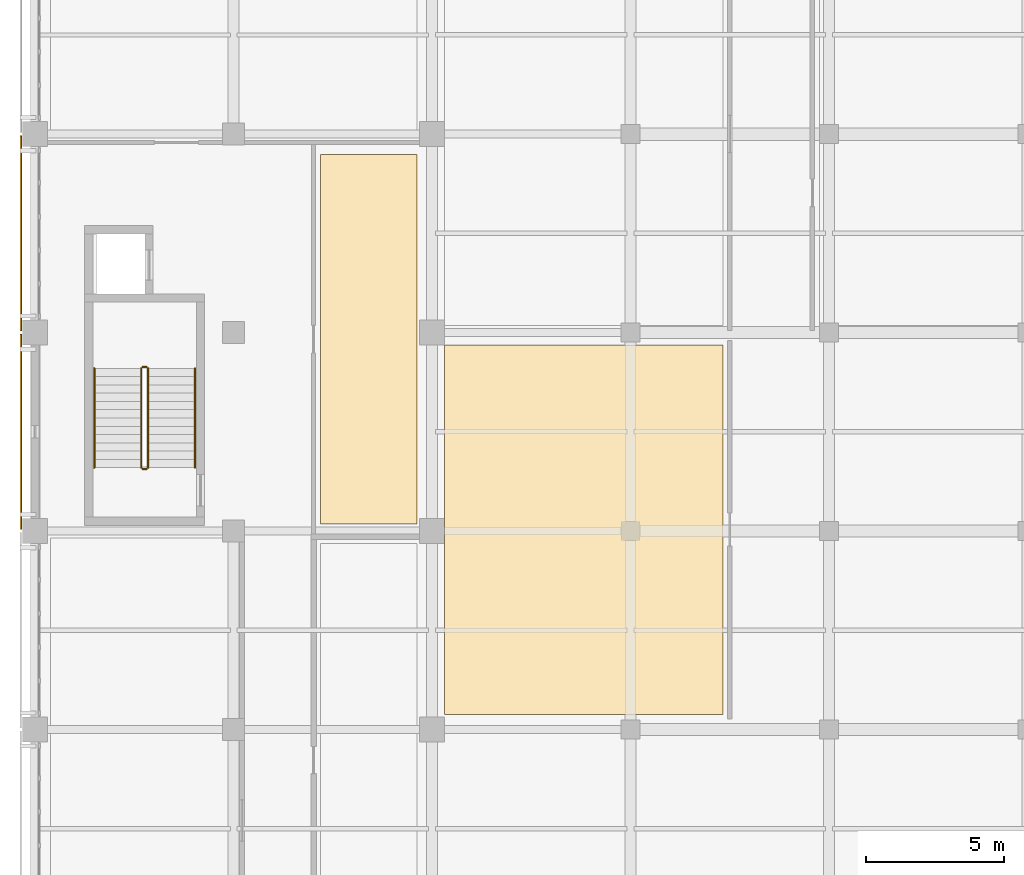
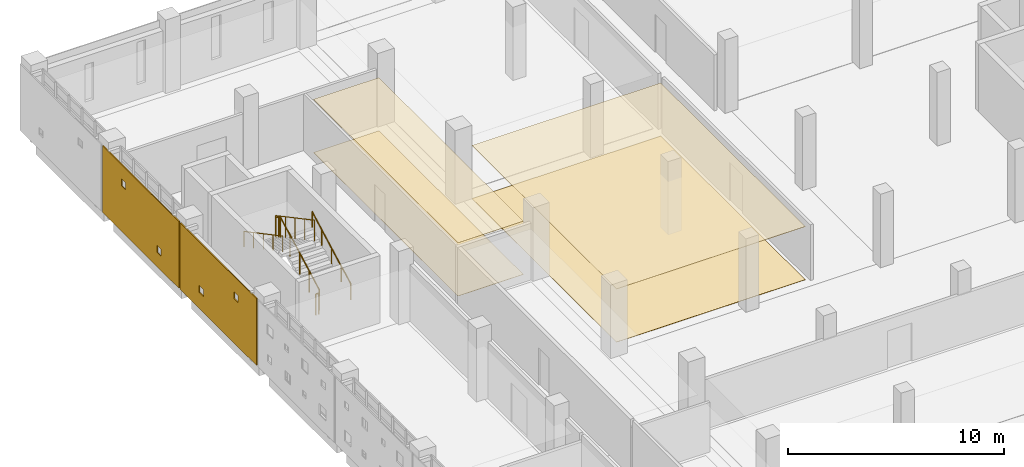
# One storey, part 57 of 62: 6 coverings, 6 railings.
"""IFC4 building model written with IfcOpenShell, lengths in metres."""

from ifc_helpers import new_model, si_unit, direction, frame, origin, origin_2d, place, context, subcontext, project, spatial, polyline, circle, outline, extrude, material, layer, layer_set, type_object, element, save


model = new_model("IFC4")

# Units and contexts
model_context = context("Model", 3, precision=1e-05, world=origin(), true_north=direction((0.0, 1.0)))
body_context = subcontext(model_context, "Body", "Model", "MODEL_VIEW")
ifc_project = project(units=[si_unit("LENGTHUNIT", "METRE"), si_unit("AREAUNIT", "SQUARE_METRE"), si_unit("VOLUMEUNIT", "CUBIC_METRE"), si_unit("PLANEANGLEUNIT", "RADIAN"), si_unit("MASSUNIT", "GRAM", prefix="KILO")], contexts=[model_context])

# Site, building, storey
site_placement = place(None, origin())
site = spatial("IfcSite", under=ifc_project, at=site_placement, CompositionType="ELEMENT")
building_placement = place(site_placement, origin())
building = spatial("IfcBuilding", under=site, at=building_placement, Name="Valkovuoma Quantum and Materials Research Institute", CompositionType="ELEMENT")
storey_placement = place(building_placement, frame((0.0, 0.0, 8.9599609375)))
storey = spatial("IfcBuildingStorey", under=building, at=storey_placement, Name="L02", CompositionType="ELEMENT", Elevation=8.9599609375)

# Coverings
ifc_material_1 = material(Name="Cleanable acoustic mineral-fibre suspended ceiling", Category="masonry")
ifc_layer_1 = layer(ifc_material_1, 0.02490234375)
ifc_layer_set_1 = layer_set([ifc_layer_1], Name="Cleanable acoustic mineral-fibre suspended ceiling")
covering_type_1 = type_object("IfcCoveringType", Name="Cov-CEIL-01", PredefinedType="CEILING", material=ifc_layer_set_1)
covering_1_placement = place(storey_placement, frame((0.0, 0.0, 3.0)))
element("IfcCovering", 1, at=covering_1_placement, inside=storey, type_object=covering_type_1, Name="L02 acoustic ceiling 0060", PredefinedType="CEILING", context=body_context, shape_type="SweptSolid", body=[
    extrude(outline(polyline([(10.35009765625, 72.25), (13.85009765625, 72.25), (13.85009765625, 85.64990234375), (10.35009765625, 85.64990234375), (10.35009765625, 72.25)])), origin(), (0.0, 0.0, 1.0), 0.025146484375),
])
covering_2_placement = place(storey_placement, frame((0.0, 0.0, 3.0)))
element("IfcCovering", 2, at=covering_2_placement, inside=storey, type_object=covering_type_1, Name="L02 acoustic ceiling 0068", PredefinedType="CEILING", context=body_context, shape_type="SweptSolid", body=[
    extrude(outline(polyline([(14.85009765625, 65.35009765625), (24.949951171875, 65.35009765625), (24.949951171875, 78.75), (14.85009765625, 78.75), (14.85009765625, 65.35009765625)])), origin(), (0.0, 0.0, 1.0), 0.025146484375),
])
ifc_material_2 = material(Name="Seamless dissipative laboratory resin flooring", Category="masonry")
ifc_layer_2 = layer(ifc_material_2, 0.014892578125)
ifc_layer_set_2 = layer_set([ifc_layer_2], Name="Seamless dissipative laboratory resin flooring")
covering_type_2 = type_object("IfcCoveringType", Name="Cov-FLOR-01", PredefinedType="FLOORING", material=ifc_layer_set_2)
covering_3_placement = place(storey_placement, origin())
element("IfcCovering", 3, at=covering_3_placement, inside=storey, type_object=covering_type_2, Name="L02 resin flooring 0060", PredefinedType="FLOORING", context=body_context, shape_type="SweptSolid", body=[
    extrude(outline(polyline([(10.35009765625, 72.25), (13.85009765625, 72.25), (13.85009765625, 85.64990234375), (10.35009765625, 85.64990234375), (10.35009765625, 72.25)])), origin(), (0.0, 0.0, 1.0), 0.01513671875),
])
covering_4_placement = place(storey_placement, origin())
element("IfcCovering", 4, at=covering_4_placement, inside=storey, type_object=covering_type_2, Name="L02 resin flooring 0068", PredefinedType="FLOORING", context=body_context, shape_type="SweptSolid", body=[
    extrude(outline(polyline([(14.85009765625, 65.35009765625), (24.949951171875, 65.35009765625), (24.949951171875, 78.75), (14.85009765625, 78.75), (14.85009765625, 65.35009765625)])), origin(), (0.0, 0.0, 1.0), 0.01513671875),
])
ifc_material_3 = material(Name="White powder-coated aluminium architectural panel", Category="aluminium")
ifc_layer_3 = layer(ifc_material_3, 0.054931640625)
ifc_layer_set_3 = layer_set([ifc_layer_3], Name="White powder-coated aluminium architectural panel")
covering_type_3 = type_object("IfcCoveringType", Name="Cov-PERF-SPARSE", PredefinedType="CLADDING", material=ifc_layer_set_3)
covering_5_placement = place(storey_placement, frame((-0.52001953125, 72.06005859375, 0.02001953125), z_axis=(0.0, 0.0, 1.0), x_axis=(0.0, 1.0, 0.0)))
element("IfcCovering", 5, at=covering_5_placement, inside=storey, type_object=covering_type_3, Name="L02 graduated perforated white screen W-0022", PredefinedType="CLADDING", context=body_context, shape_type="SweptSolid", body=[
    extrude(outline(polyline([(0.0, 0.0), (7.079833984375, 0.0), (7.079833984375, 3.77001953125), (0.0, 3.77001953125), (0.0, 0.0)]), holes=[polyline([(1.695068359375, 2.517578125), (1.695068359375, 2.91748046875), (2.094970703125, 2.91748046875), (2.094970703125, 2.517578125), (1.695068359375, 2.517578125)]), polyline([(4.925048828125, 0.902587890625), (4.925048828125, 1.302490234375), (5.324951171875, 1.302490234375), (5.324951171875, 0.902587890625), (4.925048828125, 0.902587890625)])]), frame((0.0, 0.02734375, 0.0), z_axis=(0.0, -1.0, 0.0), x_axis=(1.0, 0.0, 0.0)), (0.0, 0.0, 1.0), 0.054931640625),
])
covering_6_placement = place(storey_placement, frame((-0.52001953125, 79.260009765625, 0.02001953125), z_axis=(0.0, 0.0, 1.0), x_axis=(0.0, 1.0, 0.0)))
element("IfcCovering", 6, at=covering_6_placement, inside=storey, type_object=covering_type_3, Name="L02 graduated perforated white screen W-0023", PredefinedType="CLADDING", context=body_context, shape_type="SweptSolid", body=[
    extrude(outline(polyline([(0.0, 0.0), (7.080078125, 0.0), (7.080078125, 3.77001953125), (0.0, 3.77001953125), (0.0, 0.0)]), holes=[polyline([(1.635009765625, 0.802490234375), (1.635009765625, 1.202392578125), (2.034912109375, 1.202392578125), (2.034912109375, 0.802490234375), (1.635009765625, 0.802490234375)]), polyline([(4.925048828125, 2.5673828125), (4.925048828125, 2.967529296875), (5.324951171875, 2.967529296875), (5.324951171875, 2.5673828125), (4.925048828125, 2.5673828125)])]), frame((0.0, 0.02734375, 0.0), z_axis=(0.0, -1.0, 0.0), x_axis=(1.0, 0.0, 0.0)), (0.0, 0.0, 1.0), 0.054931640625),
])

# Railings
ifc_material_4 = material(Name="Painted steel stair balustrade", Category="steel")
railing_type_1 = type_object("IfcRailingType", Name="Rail-GRD-ST", PredefinedType="BALUSTRADE", material=ifc_material_4)
railing_1_placement = place(storey_placement, frame((4.10009765625, 74.300048828125, 0.16015625)))
element("IfcRailing", 7, at=railing_1_placement, inside=storey, type_object=railing_type_1, Name="L02 ST-2 stair guard 1", PredefinedType="BALUSTRADE", context=body_context, shape_type="SweptSolid", body=[
    extrude(circle(Radius=0.02392578125, at=origin_2d()), frame((0.0, 0.0, 1.17578125), z_axis=(0.0, 0.882352941176, 0.470588235294), x_axis=(-1.0, 0.0, 0.0)), (0.0, 0.0, 1.0), 4.079833984375),
    extrude(circle(Radius=0.02099609375, at=origin_2d()), origin(), (0.0, 0.0, 1.0), 1.15185546875),
    extrude(circle(Radius=0.02099609375, at=origin_2d()), frame((0.0, 0.89990234375, 0.47998046875)), (0.0, 0.0, 1.0), 1.15185546875),
    extrude(circle(Radius=0.02099609375, at=origin_2d()), frame((0.0, 1.7998046875, 0.9599609375)), (0.0, 0.0, 1.0), 1.15185546875),
    extrude(circle(Radius=0.02099609375, at=origin_2d()), frame((0.0, 2.699951171875, 1.43994140625)), (0.0, 0.0, 1.0), 1.15185546875),
    extrude(circle(Radius=0.02099609375, at=origin_2d()), frame((0.0, 3.599853515625, 1.919921875)), (0.0, 0.0, 1.0), 1.15185546875),
])
railing_2_placement = place(storey_placement, frame((4.050048828125, 77.949951171875, 2.080078125)))
element("IfcRailing", 8, at=railing_2_placement, inside=storey, type_object=railing_type_1, Name="L02 ST-2 stair guard 2", PredefinedType="BALUSTRADE", context=body_context, shape_type="SweptSolid", body=[
    extrude(circle(Radius=0.02392578125, at=origin_2d()), frame((0.0, 0.0, 1.17578125), z_axis=(-1.0, 0.0, 0.0), x_axis=(0.0, -1.0, 0.0)), (0.0, 0.0, 1.0), 0.150146484375),
    extrude(circle(Radius=0.02099609375, at=origin_2d()), origin(), (0.0, 0.0, 1.0), 1.15185546875),
    extrude(circle(Radius=0.02099609375, at=origin_2d()), frame((-0.150146484375, 0.0, 0.0)), (0.0, 0.0, 1.0), 1.15185546875),
])
railing_3_placement = place(storey_placement, frame((3.85009765625, 77.89990234375, 2.239990234375)))
element("IfcRailing", 9, at=railing_3_placement, inside=storey, type_object=railing_type_1, Name="L02 ST-2 stair guard 3", PredefinedType="BALUSTRADE", context=body_context, shape_type="SweptSolid", body=[
    extrude(circle(Radius=0.02392578125, at=origin_2d()), frame((0.0, 0.0, 1.17578125), z_axis=(0.0, -0.882328093246, 0.470634822203), x_axis=(1.0, 0.0, 0.0)), (0.0, 0.0, 1.0), 4.079833984375),
    extrude(circle(Radius=0.02099609375, at=origin_2d()), origin(), (0.0, 0.0, 1.0), 1.15185546875),
    extrude(circle(Radius=0.02099609375, at=origin_2d()), frame((0.0, -0.89990234375, 0.47998046875)), (0.0, 0.0, 1.0), 1.15185546875),
    extrude(circle(Radius=0.02099609375, at=origin_2d()), frame((0.0, -1.7998046875, 0.9599609375)), (0.0, 0.0, 1.0), 1.15185546875),
    extrude(circle(Radius=0.02099609375, at=origin_2d()), frame((0.0, -2.699951171875, 1.440185546875)), (0.0, 0.0, 1.0), 1.15185546875),
    extrude(circle(Radius=0.02099609375, at=origin_2d()), frame((0.0, -3.599853515625, 1.920166015625)), (0.0, 0.0, 1.0), 1.15185546875),
])
railing_4_placement = place(storey_placement, frame((4.050048828125, 74.25, 0.0)))
element("IfcRailing", 10, at=railing_4_placement, inside=storey, type_object=railing_type_1, Name="L02 ST-2 stair guard 4", PredefinedType="BALUSTRADE", context=body_context, shape_type="SweptSolid", body=[
    extrude(circle(Radius=0.02392578125, at=origin_2d()), frame((0.0, 0.0, 1.17578125), z_axis=(-1.0, 0.0, 0.0), x_axis=(0.0, -1.0, 0.0)), (0.0, 0.0, 1.0), 0.150146484375),
    extrude(circle(Radius=0.02099609375, at=origin_2d()), origin(), (0.0, 0.0, 1.0), 1.15185546875),
    extrude(circle(Radius=0.02099609375, at=origin_2d()), frame((-0.150146484375, 0.0, 0.0)), (0.0, 0.0, 1.0), 1.15185546875),
])
ifc_material_5 = material(Name="Brushed stainless steel handrail", Category="steel")
railing_type_2 = type_object("IfcRailingType", Name="Rail-HR-ST", PredefinedType="HANDRAIL", material=ifc_material_5)
railing_5_placement = place(storey_placement, frame((5.800048828125, 74.300048828125, 0.16015625)))
element("IfcRailing", 11, at=railing_5_placement, inside=storey, type_object=railing_type_2, Name="L02 ST-2 stair handrail 1", PredefinedType="HANDRAIL", context=body_context, shape_type="SweptSolid", body=[
    extrude(circle(Radius=0.02392578125, at=origin_2d()), frame((0.0, 0.0, 0.8759765625), z_axis=(0.0, 0.882352941176, 0.470588235294), x_axis=(-1.0, 0.0, 0.0)), (0.0, 0.0, 1.0), 4.079833984375),
    extrude(circle(Radius=0.02099609375, at=origin_2d()), origin(), (0.0, 0.0, 1.0), 0.851806640625),
    extrude(circle(Radius=0.02099609375, at=origin_2d()), frame((0.0, 0.89990234375, 0.47998046875)), (0.0, 0.0, 1.0), 0.851806640625),
    extrude(circle(Radius=0.02099609375, at=origin_2d()), frame((0.0, 1.7998046875, 0.9599609375)), (0.0, 0.0, 1.0), 0.851806640625),
    extrude(circle(Radius=0.02099609375, at=origin_2d()), frame((0.0, 2.699951171875, 1.43994140625)), (0.0, 0.0, 1.0), 0.851806640625),
    extrude(circle(Radius=0.02099609375, at=origin_2d()), frame((0.0, 3.599853515625, 1.919921875)), (0.0, 0.0, 1.0), 0.851806640625),
])
railing_6_placement = place(storey_placement, frame((2.14990234375, 77.89990234375, 2.239990234375)))
element("IfcRailing", 12, at=railing_6_placement, inside=storey, type_object=railing_type_2, Name="L02 ST-2 stair handrail 2", PredefinedType="HANDRAIL", context=body_context, shape_type="SweptSolid", body=[
    extrude(circle(Radius=0.02392578125, at=origin_2d()), frame((0.0, 0.0, 0.8759765625), z_axis=(0.0, -0.882328093246, 0.470634822203), x_axis=(1.0, 0.0, 0.0)), (0.0, 0.0, 1.0), 4.079833984375),
    extrude(circle(Radius=0.02099609375, at=origin_2d()), origin(), (0.0, 0.0, 1.0), 0.851806640625),
    extrude(circle(Radius=0.02099609375, at=origin_2d()), frame((0.0, -0.89990234375, 0.47998046875)), (0.0, 0.0, 1.0), 0.851806640625),
    extrude(circle(Radius=0.02099609375, at=origin_2d()), frame((0.0, -1.7998046875, 0.9599609375)), (0.0, 0.0, 1.0), 0.851806640625),
    extrude(circle(Radius=0.02099609375, at=origin_2d()), frame((0.0, -2.699951171875, 1.440185546875)), (0.0, 0.0, 1.0), 0.851806640625),
    extrude(circle(Radius=0.02099609375, at=origin_2d()), frame((0.0, -3.599853515625, 1.920166015625)), (0.0, 0.0, 1.0), 0.851806640625),
])

save(model, "model.ifc")
